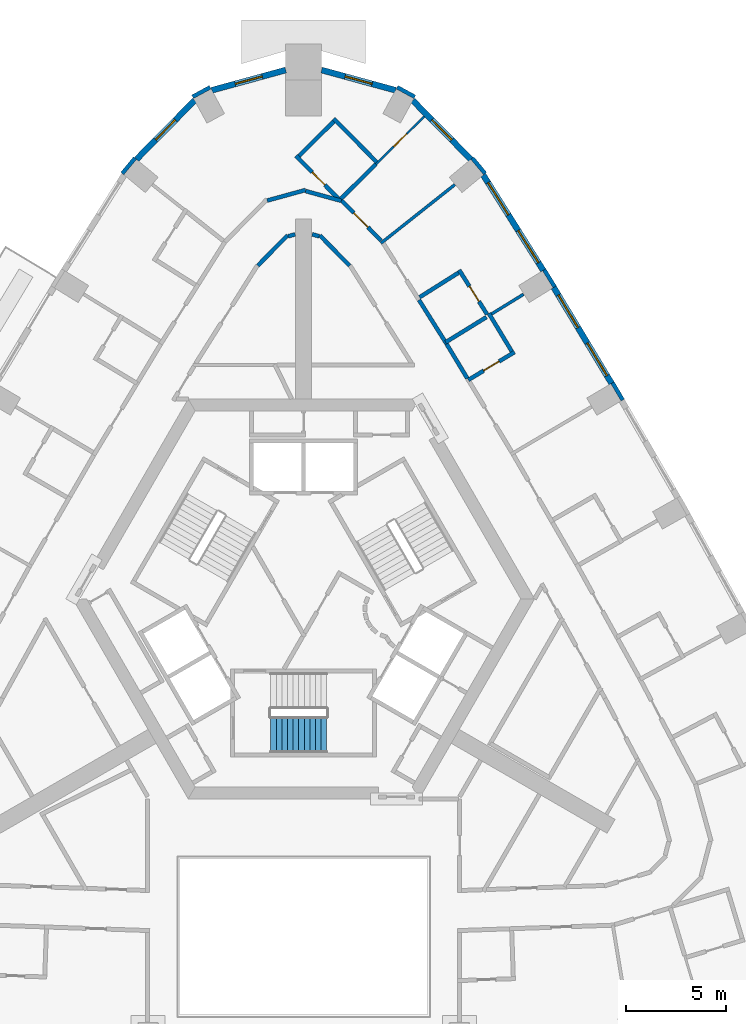
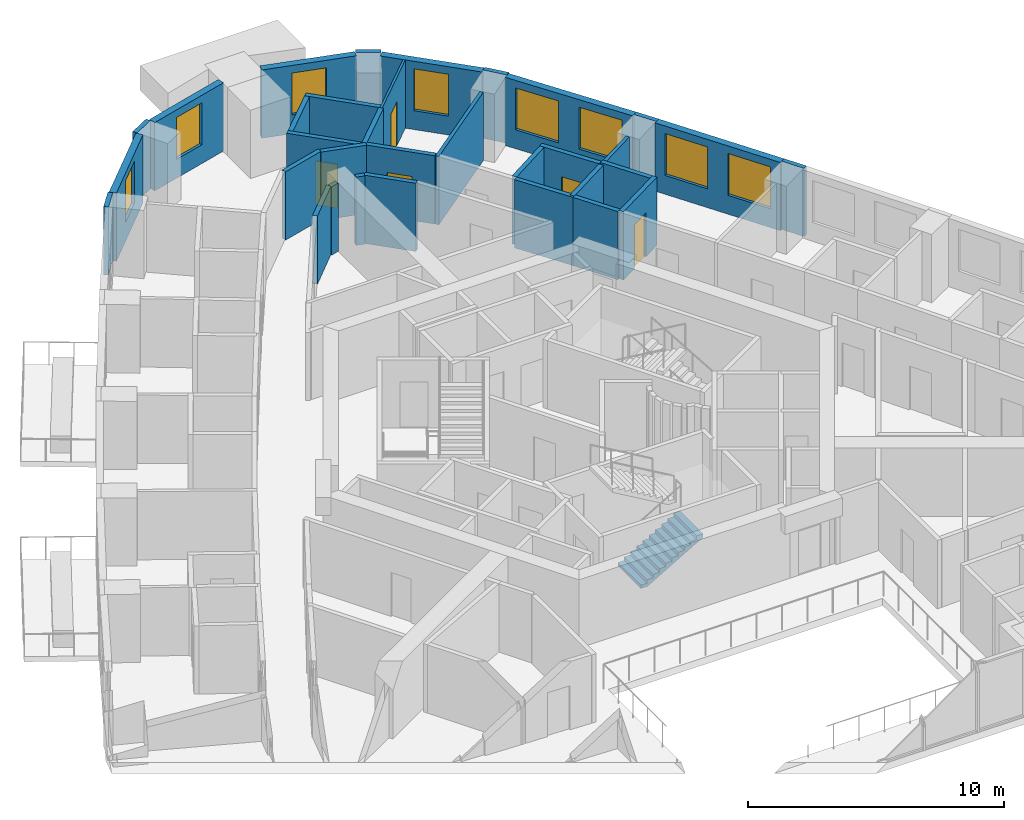
# One storey, part 10 of 14: 33 walls, 8 windows, 5 doors, 1 stair flight, 13 openings, 1 element without a shape of its own.
"""IFC4 building model written with IfcOpenShell, lengths in metres."""

from ifc_helpers import new_model, si_unit, direction, frame, frame_2d, origin, place, context, subcontext, project, spatial, polyline, rectangle, outline, extrude, material, layer, layer_set, type_object, element, fill, aggregate, save


model = new_model("IFC4")

# Units and contexts
model_context = context("Model", 3, precision=1e-05, world=origin(), true_north=direction((0.0, 1.0)))
body_context = subcontext(model_context, "Body", "Model", "MODEL_VIEW")
ifc_project = project(units=[si_unit("LENGTHUNIT", "METRE"), si_unit("AREAUNIT", "SQUARE_METRE"), si_unit("VOLUMEUNIT", "CUBIC_METRE"), si_unit("PLANEANGLEUNIT", "RADIAN"), si_unit("MASSUNIT", "GRAM", prefix="KILO")], contexts=[model_context])

# Site, building, storey
site_placement = place(None, origin())
site = spatial("IfcSite", under=ifc_project, at=site_placement, CompositionType="ELEMENT")
building_placement = place(site_placement, origin())
building = spatial("IfcBuilding", under=site, at=building_placement, Name="Entoto Arch Interchange Tower", CompositionType="ELEMENT")
storey_placement = place(building_placement, frame((0.0, 0.0, 259.39990234375)))
storey = spatial("IfcBuildingStorey", under=building, at=storey_placement, Name="L59", CompositionType="ELEMENT", Elevation=259.39990234375)

# Wall, opening, door
ifc_material_1 = material(Name="Gypsum board partition on steel studs", Category="steel")
ifc_layer_1 = layer(ifc_material_1, 0.10009765625)
ifc_layer_set_1 = layer_set([ifc_layer_1], Name="Gypsum board partition on steel studs")
wall_type_1 = type_object("IfcWallType", Name="PARTITION 100", PredefinedType="PARTITIONING", material=ifc_layer_set_1)
wall_1_placement = place(storey_placement, frame((3.613037109375, 24.237060546875, 0.0), z_axis=(0.0, 0.0, 1.0), x_axis=(0.711651188682, 0.702532978335, 0.0)))
wall_1 = element("IfcWall", 1, at=wall_1_placement, inside=storey, type_object=wall_type_1, Name="wall:L59:p150", PredefinedType="PARTITIONING", context=body_context, shape_type="SweptSolid", body=[
    extrude(rectangle(XDim=3.400390625, YDim=0.10009765625, at=frame_2d((1.7001953125, 0.0))), origin(), (0.0, 0.0, 1.0), 3.260009765625),
])
opening_1_placement = place(wall_1_placement, frame((1.25, 0.0, 0.0)))
opening_1 = element("IfcOpeningElement", 2, at=opening_1_placement, cuts=wall_1, Name="Opening L59-D17", PredefinedType="OPENING", context=body_context, shape_type="SweptSolid", body=[
    extrude(rectangle(XDim=0.89990234375, YDim=2.10009765625, at=frame_2d((0.449951171875, 1.050048828125))), frame((0.0, 0.06005859375, 0.0), z_axis=(0.0, -1.0, 0.0), x_axis=(1.0, 0.0, 0.0)), (0.0, 0.0, 1.0), 0.1201171875),
])
ifc_material_2 = material(Name="Timber door leaf in Steel S235 frame", Category="steel")
door_type_1 = type_object("IfcDoorType", Name="DOOR DS-09 900x2100", OperationType="SINGLE_SWING_LEFT", PredefinedType="DOOR", material=ifc_material_2)
door_1_placement = place(opening_1_placement, origin())
door_1 = element("IfcDoor", 3, at=door_1_placement, inside=storey, type_object=door_type_1, Name="door:L59:17", OperationType="SINGLE_SWING_RIGHT", OverallHeight=2.10009765625, OverallWidth=0.89990234375, PredefinedType="DOOR", context=body_context, shape_type="SweptSolid", body=[
    extrude(rectangle(XDim=0.89990234375, YDim=2.10009765625, at=frame_2d((0.449951171875, 1.050048828125))), frame((0.0, 0.02490234375, 0.0), z_axis=(0.0, -1.0, 0.0), x_axis=(1.0, 0.0, 0.0)), (0.0, 0.0, 1.0), 0.050048828125),
])
fill(opening_1, door_1)

# Walls
ifc_layer_2 = layer(ifc_material_1, 0.14990234375)
ifc_layer_set_2 = layer_set([ifc_layer_2], Name="Gypsum board partition on steel studs")
wall_type_2 = type_object("IfcWallType", Name="PARTITION 150", PredefinedType="PARTITIONING", material=ifc_layer_set_2)
wall_2_placement = place(storey_placement, frame((9.39501953125, 16.74609375, 0.0), z_axis=(0.0, 0.0, 1.0), x_axis=(0.851524542888, 0.524314745987, 0.0)))
element("IfcWall", 4, at=wall_2_placement, inside=storey, type_object=wall_type_2, Name="wall:L59:p145", PredefinedType="PARTITIONING", context=body_context, shape_type="SweptSolid", body=[
    extrude(rectangle(XDim=1.880126953125, YDim=0.14990234375, at=frame_2d((0.93994140625, 0.0))), origin(), (0.0, 0.0, 1.0), 3.260009765625),
])
wall_3_placement = place(storey_placement, frame((3.863037109375, 20.283935546875, 0.0), z_axis=(0.0, 0.0, 1.0), x_axis=(0.783618453885, 0.621242399335, 0.0)))
element("IfcWall", 5, at=wall_3_placement, inside=storey, type_object=wall_type_2, Name="wall:L59:p149", PredefinedType="PARTITIONING", context=body_context, shape_type="SweptSolid", body=[
    extrude(rectangle(XDim=4.716552734375, YDim=0.14990234375, at=frame_2d((2.3583984375, 0.0))), origin(), (0.0, 0.0, 1.0), 3.260009765625),
])
ifc_layer_3 = layer(ifc_material_1, 0.199951171875)
ifc_layer_set_3 = layer_set([ifc_layer_3], Name="Gypsum board partition on steel studs")
wall_type_3 = type_object("IfcWallType", Name="PARTITION 200", PredefinedType="PARTITIONING", material=ifc_layer_set_3)
wall_4_placement = place(storey_placement, frame((2.2939453125, 19.1669921875, 0.0), z_axis=(0.0, 0.0, 1.0), x_axis=(-0.70213913596, 0.712039769784, 0.0)))
element("IfcWall", 6, at=wall_4_placement, inside=storey, type_object=wall_type_3, Name="wall:L59:p008", PredefinedType="PARTITIONING", context=body_context, shape_type="SweptSolid", body=[
    extrude(rectangle(XDim=2.12060546875, YDim=0.199951171875, at=frame_2d((1.060302734375, 0.0))), origin(), (0.0, 0.0, 1.0), 3.260009765625),
])
for number, where, z_axis, x_axis, name in (
    (7, (0.778076171875, 20.632080078125, 0.0), (0.0, 0.0, 1.0), (-0.964810127056, 0.262947558899, 0.0), "wall:L59:p009"),
    (8, (-0.426025390625, 20.72802734375, 0.0), (0.0, 0.0, 1.0), (-0.964810127056, -0.262947558899, 0.0), "wall:L59:p011"),
):
    element("IfcWall", number, at=place(storey_placement, frame(where, z_axis=z_axis, x_axis=x_axis)), inside=storey, type_object=wall_type_3, Name=name, PredefinedType="PARTITIONING", context=body_context, shape_type="SweptSolid", body=[
        extrude(rectangle(XDim=0.364990234375, YDim=0.199951171875, at=frame_2d((0.1826171875, 0.0))), origin(), (0.0, 0.0, 1.0), 3.260009765625),
    ])
wall_5_placement = place(storey_placement, frame((-0.804931640625, 20.677001953125, 0.0), z_axis=(0.0, 0.0, 1.0), x_axis=(-0.70213913596, -0.712039769784, 0.0)))
element("IfcWall", 9, at=wall_5_placement, inside=storey, type_object=wall_type_3, Name="wall:L59:p012", PredefinedType="PARTITIONING", context=body_context, shape_type="SweptSolid", body=[
    extrude(rectangle(XDim=2.12060546875, YDim=0.199951171875, at=frame_2d((1.060302734375, 0.0))), origin(), (0.0, 0.0, 1.0), 3.260009765625),
])
wall_6_placement = place(storey_placement, frame((7.14794921875, 15.2451171875, 0.0), z_axis=(0.0, 0.0, 1.0), x_axis=(0.516361066184, -0.856370976463, 0.0)))
element("IfcWall", 10, at=wall_6_placement, inside=storey, type_object=wall_type_3, Name="wall:L59:p049", PredefinedType="PARTITIONING", context=body_context, shape_type="SweptSolid", body=[
    extrude(rectangle(XDim=2.00048828125, YDim=0.199951171875, at=frame_2d((1.000244140625, 0.0))), origin(), (0.0, 0.0, 1.0), 3.260009765625),
])
wall_7_placement = place(storey_placement, frame((5.76611328125, 17.446044921875, 0.0), z_axis=(0.0, 0.0, 1.0), x_axis=(0.532437006176, -0.846469629966, 0.0)))
element("IfcWall", 11, at=wall_7_placement, inside=storey, type_object=wall_type_3, Name="wall:L59:p051", PredefinedType="PARTITIONING", context=body_context, shape_type="SweptSolid", body=[
    extrude(rectangle(XDim=2.598876953125, YDim=0.199951171875, at=frame_2d((1.29931640625, 0.0))), origin(), (0.0, 0.0, 1.0), 3.260009765625),
])

# Wall, opening, door
wall_8_placement = place(storey_placement, frame((1.85107421875, 22.464111328125, 0.0), z_axis=(0.0, 0.0, 1.0), x_axis=(0.70237969133, -0.711802479068, 0.0)))
wall_8 = element("IfcWall", 12, at=wall_8_placement, inside=storey, type_object=wall_type_3, Name="wall:L59:p052", PredefinedType="PARTITIONING", context=body_context, shape_type="SweptSolid", body=[
    extrude(rectangle(XDim=2.8759765625, YDim=0.199951171875, at=frame_2d((1.43798828125, 0.0))), origin(), (0.0, 0.0, 1.0), 3.260009765625),
])
opening_2_placement = place(wall_8_placement, frame((0.93798828125, 0.0, 0.0)))
opening_2 = element("IfcOpeningElement", 13, at=opening_2_placement, cuts=wall_8, Name="Opening L59-D16", PredefinedType="OPENING", context=body_context, shape_type="SweptSolid", body=[
    extrude(rectangle(XDim=1.0, YDim=2.10009765625, at=frame_2d((0.5, 1.050048828125))), frame((0.0, 0.10986328125, 0.0), z_axis=(0.0, -1.0, 0.0), x_axis=(1.0, 0.0, 0.0)), (0.0, 0.0, 1.0), 0.219970703125),
])
ifc_material_3 = material(Name="Fire-rated Steel S235 door and frame", Category="steel")
door_type_2 = type_object("IfcDoorType", Name="DOOR FD-10 1000x2100", OperationType="SINGLE_SWING_LEFT", PredefinedType="DOOR", material=ifc_material_3)
door_2_placement = place(opening_2_placement, origin())
door_2 = element("IfcDoor", 14, at=door_2_placement, inside=storey, type_object=door_type_2, Name="door:L59:16", OperationType="SINGLE_SWING_LEFT", OverallHeight=2.10009765625, OverallWidth=1.0, PredefinedType="DOOR", context=body_context, shape_type="SweptSolid", body=[
    extrude(rectangle(XDim=1.0, YDim=2.10009765625, at=frame_2d((0.5, 1.050048828125))), frame((0.0, 0.02490234375, 0.0), z_axis=(0.0, -1.0, 0.0), x_axis=(1.0, 0.0, 0.0)), (0.0, 0.0, 1.0), 0.050048828125),
])
fill(opening_2, door_2)

# Walls
wall_9_placement = place(storey_placement, frame((-1.824951171875, 22.4189453125, 0.0), z_axis=(0.0, 0.0, 1.0), x_axis=(0.964477541401, 0.26416485787, 0.0)))
element("IfcWall", 15, at=wall_9_placement, inside=storey, type_object=wall_type_3, Name="wall:L59:p054", PredefinedType="PARTITIONING", context=body_context, shape_type="SweptSolid", body=[
    extrude(rectangle(XDim=1.99169921875, YDim=0.199951171875, at=frame_2d((0.995849609375, 0.0))), origin(), (0.0, 0.0, 1.0), 3.260009765625),
])
wall_10_placement = place(storey_placement, frame((0.095947265625, 22.89208984375, 0.0), z_axis=(0.0, 0.0, 1.0), x_axis=(0.964519582336, -0.264011316595, 0.0)))
element("IfcWall", 16, at=wall_10_placement, inside=storey, type_object=wall_type_3, Name="wall:L59:p055", PredefinedType="PARTITIONING", context=body_context, shape_type="SweptSolid", body=[
    extrude(rectangle(XDim=1.8486328125, YDim=0.199951171875, at=frame_2d((0.92431640625, 0.0))), origin(), (0.0, 0.0, 1.0), 3.260009765625),
])

# Wall, opening, door
wall_11_placement = place(storey_placement, frame((8.23291015625, 13.446044921875, 0.0), z_axis=(0.0, 0.0, 1.0), x_axis=(0.856373825811, 0.516356340589, 0.0)))
wall_11 = element("IfcWall", 17, at=wall_11_placement, inside=storey, type_object=wall_type_3, Name="wall:L59:p143", PredefinedType="PARTITIONING", context=body_context, shape_type="SweptSolid", body=[
    extrude(rectangle(XDim=2.69970703125, YDim=0.199951171875, at=frame_2d((1.349853515625, 0.0))), origin(), (0.0, 0.0, 1.0), 3.260009765625),
])
opening_3_placement = place(wall_11_placement, frame((0.89990234375, 0.0, 0.0)))
opening_3 = element("IfcOpeningElement", 18, at=opening_3_placement, cuts=wall_11, Name="Opening L59-D13", PredefinedType="OPENING", context=body_context, shape_type="SweptSolid", body=[
    extrude(rectangle(XDim=0.89990234375, YDim=2.10009765625, at=frame_2d((0.449951171875, 1.050048828125))), frame((0.0, 0.10986328125, 0.0), z_axis=(0.0, -1.0, 0.0), x_axis=(1.0, 0.0, 0.0)), (0.0, 0.0, 1.0), 0.219970703125),
])
door_3_placement = place(opening_3_placement, origin())
door_3 = element("IfcDoor", 19, at=door_3_placement, inside=storey, type_object=door_type_1, Name="door:L59:13", OperationType="SINGLE_SWING_LEFT", OverallHeight=2.10009765625, OverallWidth=0.89990234375, PredefinedType="DOOR", context=body_context, shape_type="SweptSolid", body=[
    extrude(rectangle(XDim=0.89990234375, YDim=2.10009765625, at=frame_2d((0.449951171875, 1.050048828125))), frame((0.0, 0.02490234375, 0.0), z_axis=(0.0, -1.0, 0.0), x_axis=(1.0, 0.0, 0.0)), (0.0, 0.0, 1.0), 0.050048828125),
])
fill(opening_3, door_3)

# Walls
wall_12_placement = place(storey_placement, frame((10.407958984375, 14.8740234375, 0.0), z_axis=(0.0, 0.0, 1.0), x_axis=(-0.516768967276, 0.856124894195, 0.0)))
element("IfcWall", 20, at=wall_12_placement, inside=storey, type_object=wall_type_3, Name="wall:L59:p144", PredefinedType="PARTITIONING", context=body_context, shape_type="SweptSolid", body=[
    extrude(rectangle(XDim=2.22509765625, YDim=0.199951171875, at=frame_2d((1.112548828125, 0.0))), origin(), (0.0, 0.0, 1.0), 3.260009765625),
])
wall_13_placement = place(storey_placement, frame((7.096923828125, 15.330078125, 0.0), z_axis=(0.0, 0.0, 1.0), x_axis=(0.851207242031, 0.524829716302, 0.0)))
element("IfcWall", 21, at=wall_13_placement, inside=storey, type_object=wall_type_3, Name="wall:L59:p146", PredefinedType="PARTITIONING", context=body_context, shape_type="SweptSolid", body=[
    extrude(rectangle(XDim=2.39892578125, YDim=0.199951171875, at=frame_2d((1.199462890625, 0.0))), origin(), (0.0, 0.0, 1.0), 3.260009765625),
])

# Wall, opening, door
wall_14_placement = place(storey_placement, frame((9.172119140625, 16.72509765625, 0.0), z_axis=(0.0, 0.0, 1.0), x_axis=(-0.532329646536, 0.846537150643, 0.0)))
wall_14 = element("IfcWall", 22, at=wall_14_placement, inside=storey, type_object=wall_type_3, Name="wall:L59:p147", PredefinedType="PARTITIONING", context=body_context, shape_type="SweptSolid", body=[
    extrude(rectangle(XDim=2.624755859375, YDim=0.199951171875, at=frame_2d((1.3125, 0.0))), origin(), (0.0, 0.0, 1.0), 3.260009765625),
])
opening_4_placement = place(wall_14_placement, frame((0.762939453125, 0.0, 0.0)))
opening_4 = element("IfcOpeningElement", 23, at=opening_4_placement, cuts=wall_14, Name="Opening L59-D15", PredefinedType="OPENING", context=body_context, shape_type="SweptSolid", body=[
    extrude(rectangle(XDim=0.89990234375, YDim=2.10009765625, at=frame_2d((0.449951171875, 1.050048828125))), frame((0.0, 0.10986328125, 0.0), z_axis=(0.0, -1.0, 0.0), x_axis=(1.0, 0.0, 0.0)), (0.0, 0.0, 1.0), 0.219970703125),
])
door_4_placement = place(opening_4_placement, origin())
door_4 = element("IfcDoor", 24, at=door_4_placement, inside=storey, type_object=door_type_1, Name="door:L59:15", OperationType="SINGLE_SWING_LEFT", OverallHeight=2.10009765625, OverallWidth=0.89990234375, PredefinedType="DOOR", context=body_context, shape_type="SweptSolid", body=[
    extrude(rectangle(XDim=0.89990234375, YDim=2.10009765625, at=frame_2d((0.449951171875, 1.050048828125))), frame((0.0, 0.02490234375, 0.0), z_axis=(0.0, -1.0, 0.0), x_axis=(1.0, 0.0, 0.0)), (0.0, 0.0, 1.0), 0.050048828125),
])
fill(opening_4, door_4)

# Walls
wall_15_placement = place(storey_placement, frame((7.743896484375, 18.80908203125, 0.0), z_axis=(0.0, 0.0, 1.0), x_axis=(-0.846360434059, -0.532610566605, 0.0)))
element("IfcWall", 25, at=wall_15_placement, inside=storey, type_object=wall_type_3, Name="wall:L59:p148", PredefinedType="PARTITIONING", context=body_context, shape_type="SweptSolid", body=[
    extrude(rectangle(XDim=2.30029296875, YDim=0.199951171875, at=frame_2d((1.150146484375, 0.0))), origin(), (0.0, 0.0, 1.0), 3.260009765625),
])
wall_16_placement = place(storey_placement, frame((1.798095703125, 22.446044921875, 0.0), z_axis=(0.0, 0.0, 1.0), x_axis=(0.711782817297, 0.702399616316, 0.0)))
element("IfcWall", 26, at=wall_16_placement, inside=storey, type_object=wall_type_3, Name="wall:L59:p151", PredefinedType="PARTITIONING", context=body_context, shape_type="SweptSolid", body=[
    extrude(rectangle(XDim=2.5498046875, YDim=0.199951171875, at=frame_2d((1.27490234375, 0.0))), origin(), (0.0, 0.0, 1.0), 3.260009765625),
])
wall_17_placement = place(storey_placement, frame((3.718994140625, 24.27197265625, 0.0), z_axis=(0.0, 0.0, 1.0), x_axis=(-0.70232328337, 0.711858135893, 0.0)))
element("IfcWall", 27, at=wall_17_placement, inside=storey, type_object=wall_type_3, Name="wall:L59:p152", PredefinedType="PARTITIONING", context=body_context, shape_type="SweptSolid", body=[
    extrude(rectangle(XDim=3.1494140625, YDim=0.199951171875, at=frame_2d((1.57470703125, 0.0))), origin(), (0.0, 0.0, 1.0), 3.260009765625),
])
wall_18_placement = place(storey_placement, frame((1.506103515625, 26.3720703125, 0.0), z_axis=(0.0, 0.0, 1.0), x_axis=(-0.711773999329, -0.702408551969, 0.0)))
element("IfcWall", 28, at=wall_18_placement, inside=storey, type_object=wall_type_3, Name="wall:L59:p153", PredefinedType="PARTITIONING", context=body_context, shape_type="SweptSolid", body=[
    extrude(rectangle(XDim=2.450439453125, YDim=0.199951171875, at=frame_2d((1.22509765625, 0.0))), origin(), (0.0, 0.0, 1.0), 3.260009765625),
])

# Wall, opening, door
wall_19_placement = place(storey_placement, frame((-0.37890625, 24.652099609375, 0.0), z_axis=(0.0, 0.0, 1.0), x_axis=(0.702559610983, -0.711624896286, 0.0)))
wall_19 = element("IfcWall", 29, at=wall_19_placement, inside=storey, type_object=wall_type_3, Name="wall:L59:p154", PredefinedType="PARTITIONING", context=body_context, shape_type="SweptSolid", body=[
    extrude(rectangle(XDim=3.1240234375, YDim=0.199951171875, at=frame_2d((1.56201171875, 0.0))), origin(), (0.0, 0.0, 1.0), 3.260009765625),
])
opening_5_placement = place(wall_19_placement, frame((1.14990234375, 0.0, 0.0)))
opening_5 = element("IfcOpeningElement", 30, at=opening_5_placement, cuts=wall_19, Name="Opening L59-D18", PredefinedType="OPENING", context=body_context, shape_type="SweptSolid", body=[
    extrude(rectangle(XDim=0.89990234375, YDim=2.10009765625, at=frame_2d((0.449951171875, 1.050048828125))), frame((0.0, 0.10986328125, 0.0), z_axis=(0.0, -1.0, 0.0), x_axis=(1.0, 0.0, 0.0)), (0.0, 0.0, 1.0), 0.219970703125),
])
door_5_placement = place(opening_5_placement, origin())
door_5 = element("IfcDoor", 31, at=door_5_placement, inside=storey, type_object=door_type_1, Name="door:L59:18", OperationType="SINGLE_SWING_RIGHT", OverallHeight=2.10009765625, OverallWidth=0.89990234375, PredefinedType="DOOR", context=body_context, shape_type="SweptSolid", body=[
    extrude(rectangle(XDim=0.89990234375, YDim=2.10009765625, at=frame_2d((0.449951171875, 1.050048828125))), frame((0.0, 0.02490234375, 0.0), z_axis=(0.0, -1.0, 0.0), x_axis=(1.0, 0.0, 0.0)), (0.0, 0.0, 1.0), 0.050048828125),
])
fill(opening_5, door_5)

# Wall, openings, windows
ifc_material_4 = material(Name="Welded tuff (ignimbrite) cladding, warm buff", Category="masonry")
ifc_layer_4 = layer(ifc_material_4, 0.300048828125)
ifc_layer_set_4 = layer_set([ifc_layer_4], Name="Welded tuff (ignimbrite) cladding, warm buff")
wall_type_4 = type_object("IfcWallType", Name="STONE INFILL WALL 300", PredefinedType="STANDARD", material=ifc_layer_set_4)
wall_20_placement = place(storey_placement, frame((15.39892578125, 13.277099609375, 0.0), z_axis=(0.0, 0.0, 1.0), x_axis=(-0.516269519619, 0.856426169096, 0.0)))
wall_20 = element("IfcWall", 32, at=wall_20_placement, inside=storey, type_object=wall_type_4, Name="Facade wall NE-04 L59", PredefinedType="STANDARD", context=body_context, shape_type="SweptSolid", body=[
    extrude(rectangle(XDim=5.603271484375, YDim=0.300048828125, at=frame_2d((2.8017578125, 0.0))), origin(), (0.0, 0.0, 1.0), 3.260009765625),
])
opening_6_placement = place(wall_20_placement, frame((0.450927734375, 0.0, 0.89990234375)))
opening_6 = element("IfcOpeningElement", 33, at=opening_6_placement, cuts=wall_20, Name="Opening WH-C", PredefinedType="OPENING", context=body_context, shape_type="SweptSolid", body=[
    extrude(rectangle(XDim=1.89990234375, YDim=2.0, at=frame_2d((0.949951171875, 1.0))), frame((0.0, 0.16015625, 0.0), z_axis=(0.0, -1.0, 0.0), x_axis=(1.0, 0.0, 0.0)), (0.0, 0.0, 1.0), 0.320068359375),
])
opening_7_placement = place(wall_20_placement, frame((3.2529296875, 0.0, 0.89990234375)))
opening_7 = element("IfcOpeningElement", 34, at=opening_7_placement, cuts=wall_20, Name="Opening WH-C", PredefinedType="OPENING", context=body_context, shape_type="SweptSolid", body=[
    extrude(rectangle(XDim=1.89990234375, YDim=2.0, at=frame_2d((0.949951171875, 1.0))), frame((0.0, 0.16015625, 0.0), z_axis=(0.0, -1.0, 0.0), x_axis=(1.0, 0.0, 0.0)), (0.0, 0.0, 1.0), 0.320068359375),
])
ifc_material_5 = material(Name="Clear glass, low-e double glazed", Category="glass")
window_type_1 = type_object("IfcWindowType", Name="WINDOW WH-C 1900x2000", PartitioningType="DOUBLE_PANEL_VERTICAL", PredefinedType="WINDOW", material=ifc_material_5)
window_1_placement = place(opening_6_placement, origin())
window_1 = element("IfcWindow", 35, at=window_1_placement, inside=storey, type_object=window_type_1, Name="Window WH-C NE-04 L59", OverallHeight=2.0, OverallWidth=1.89990234375, PartitioningType="SINGLE_PANEL", PredefinedType="WINDOW", context=body_context, shape_type="SweptSolid", body=[
    extrude(rectangle(XDim=1.89990234375, YDim=2.0, at=frame_2d((0.949951171875, 1.0))), frame((0.0, 0.030029296875, 0.0), z_axis=(0.0, -1.0, 0.0), x_axis=(1.0, 0.0, 0.0)), (0.0, 0.0, 1.0), 0.06005859375),
])
fill(opening_6, window_1)
window_2_placement = place(opening_7_placement, origin())
window_2 = element("IfcWindow", 36, at=window_2_placement, inside=storey, type_object=window_type_1, Name="Window WH-C NE-04 L59", OverallHeight=2.0, OverallWidth=1.89990234375, PartitioningType="SINGLE_PANEL", PredefinedType="WINDOW", context=body_context, shape_type="SweptSolid", body=[
    extrude(rectangle(XDim=1.89990234375, YDim=2.0, at=frame_2d((0.949951171875, 1.0))), frame((0.0, 0.030029296875, 0.0), z_axis=(0.0, -1.0, 0.0), x_axis=(1.0, 0.0, 0.0)), (0.0, 0.0, 1.0), 0.06005859375),
])
fill(opening_7, window_2)

wall_21_placement = place(storey_placement, frame((11.98291015625, 18.926025390625, 0.0), z_axis=(0.0, 0.0, 1.0), x_axis=(-0.532558226688, 0.846393369059, 0.0)))
wall_21 = element("IfcWall", 37, at=wall_21_placement, inside=storey, type_object=wall_type_4, Name="Facade wall NE-05 L59", PredefinedType="STANDARD", context=body_context, shape_type="SweptSolid", body=[
    extrude(rectangle(XDim=5.636962890625, YDim=0.300048828125, at=frame_2d((2.818359375, 0.0))), origin(), (0.0, 0.0, 1.0), 3.260009765625),
])
opening_8_placement = place(wall_21_placement, frame((0.458984375, 0.0, 0.89990234375)))
opening_8 = element("IfcOpeningElement", 38, at=opening_8_placement, cuts=wall_21, Name="Opening WH-C", PredefinedType="OPENING", context=body_context, shape_type="SweptSolid", body=[
    extrude(rectangle(XDim=1.89990234375, YDim=2.0, at=frame_2d((0.949951171875, 1.0))), frame((0.0, 0.16015625, 0.0), z_axis=(0.0, -1.0, 0.0), x_axis=(1.0, 0.0, 0.0)), (0.0, 0.0, 1.0), 0.320068359375),
])
opening_9_placement = place(wall_21_placement, frame((3.278076171875, 0.0, 0.89990234375)))
opening_9 = element("IfcOpeningElement", 39, at=opening_9_placement, cuts=wall_21, Name="Opening WH-C", PredefinedType="OPENING", context=body_context, shape_type="SweptSolid", body=[
    extrude(rectangle(XDim=1.89990234375, YDim=2.0, at=frame_2d((0.949951171875, 1.0))), frame((0.0, 0.16015625, 0.0), z_axis=(0.0, -1.0, 0.0), x_axis=(1.0, 0.0, 0.0)), (0.0, 0.0, 1.0), 0.320068359375),
])
window_3_placement = place(opening_8_placement, origin())
window_3 = element("IfcWindow", 40, at=window_3_placement, inside=storey, type_object=window_type_1, Name="Window WH-C NE-05 L59", OverallHeight=2.0, OverallWidth=1.89990234375, PartitioningType="SINGLE_PANEL", PredefinedType="WINDOW", context=body_context, shape_type="SweptSolid", body=[
    extrude(rectangle(XDim=1.89990234375, YDim=2.0, at=frame_2d((0.949951171875, 1.0))), frame((0.0, 0.030029296875, 0.0), z_axis=(0.0, -1.0, 0.0), x_axis=(1.0, 0.0, 0.0)), (0.0, 0.0, 1.0), 0.06005859375),
])
fill(opening_8, window_3)
window_4_placement = place(opening_9_placement, origin())
window_4 = element("IfcWindow", 41, at=window_4_placement, inside=storey, type_object=window_type_1, Name="Window WH-C NE-05 L59", OverallHeight=2.0, OverallWidth=1.89990234375, PartitioningType="SINGLE_PANEL", PredefinedType="WINDOW", context=body_context, shape_type="SweptSolid", body=[
    extrude(rectangle(XDim=1.89990234375, YDim=2.0, at=frame_2d((0.949951171875, 1.0))), frame((0.0, 0.030029296875, 0.0), z_axis=(0.0, -1.0, 0.0), x_axis=(1.0, 0.0, 0.0)), (0.0, 0.0, 1.0), 0.06005859375),
])
fill(opening_9, window_4)

# Wall, opening, window
wall_22_placement = place(storey_placement, frame((8.361083984375, 24.47998046875, 0.0), z_axis=(0.0, 0.0, 1.0), x_axis=(-0.702488411246, 0.711695181989, 0.0)))
wall_22 = element("IfcWall", 42, at=wall_22_placement, inside=storey, type_object=wall_type_4, Name="Facade wall N-01 L59", PredefinedType="STANDARD", context=body_context, shape_type="SweptSolid", body=[
    extrude(rectangle(XDim=4.13671875, YDim=0.300048828125, at=frame_2d((2.068359375, 0.0))), origin(), (0.0, 0.0, 1.0), 3.260009765625),
])
opening_10_placement = place(wall_22_placement, frame((1.367919921875, 0.0, 0.89990234375)))
opening_10 = element("IfcOpeningElement", 43, at=opening_10_placement, cuts=wall_22, Name="Opening WH-B", PredefinedType="OPENING", context=body_context, shape_type="SweptSolid", body=[
    extrude(rectangle(XDim=1.39990234375, YDim=2.0, at=frame_2d((0.699951171875, 1.0))), frame((0.0, 0.16015625, 0.0), z_axis=(0.0, -1.0, 0.0), x_axis=(1.0, 0.0, 0.0)), (0.0, 0.0, 1.0), 0.320068359375),
])
window_type_2 = type_object("IfcWindowType", Name="WINDOW WH-B 1400x2000", PartitioningType="DOUBLE_PANEL_VERTICAL", PredefinedType="WINDOW", material=ifc_material_5)
window_5_placement = place(opening_10_placement, origin())
window_5 = element("IfcWindow", 44, at=window_5_placement, inside=storey, type_object=window_type_2, Name="Window WH-B N-01 L59", OverallHeight=2.0, OverallWidth=1.39990234375, PartitioningType="SINGLE_PANEL", PredefinedType="WINDOW", context=body_context, shape_type="SweptSolid", body=[
    extrude(rectangle(XDim=1.39990234375, YDim=2.0, at=frame_2d((0.699951171875, 1.0))), frame((0.0, 0.030029296875, 0.0), z_axis=(0.0, -1.0, 0.0), x_axis=(1.0, 0.0, 0.0)), (0.0, 0.0, 1.0), 0.06005859375),
])
fill(opening_10, window_5)

wall_23_placement = place(storey_placement, frame((4.595947265625, 27.93310546875, 0.0), z_axis=(0.0, 0.0, 1.0), x_axis=(-0.964519409105, 0.264011949464, 0.0)))
wall_23 = element("IfcWall", 45, at=wall_23_placement, inside=storey, type_object=wall_type_4, Name="Facade wall N-02 L59", PredefinedType="STANDARD", context=body_context, shape_type="SweptSolid", body=[
    extrude(rectangle(XDim=3.8330078125, YDim=0.300048828125, at=frame_2d((1.91650390625, 0.0))), origin(), (0.0, 0.0, 1.0), 3.260009765625),
])
opening_11_placement = place(wall_23_placement, frame((1.217041015625, 0.0, 0.89990234375)))
opening_11 = element("IfcOpeningElement", 46, at=opening_11_placement, cuts=wall_23, Name="Opening WH-B", PredefinedType="OPENING", context=body_context, shape_type="SweptSolid", body=[
    extrude(rectangle(XDim=1.39990234375, YDim=2.0, at=frame_2d((0.699951171875, 1.0))), frame((0.0, 0.16015625, 0.0), z_axis=(0.0, -1.0, 0.0), x_axis=(1.0, 0.0, 0.0)), (0.0, 0.0, 1.0), 0.320068359375),
])
window_6_placement = place(opening_11_placement, origin())
window_6 = element("IfcWindow", 47, at=window_6_placement, inside=storey, type_object=window_type_2, Name="Window WH-B N-02 L59", OverallHeight=2.0, OverallWidth=1.39990234375, PartitioningType="SINGLE_PANEL", PredefinedType="WINDOW", context=body_context, shape_type="SweptSolid", body=[
    extrude(rectangle(XDim=1.39990234375, YDim=2.0, at=frame_2d((0.699951171875, 1.0))), frame((0.0, 0.030029296875, 0.0), z_axis=(0.0, -1.0, 0.0), x_axis=(1.0, 0.0, 0.0)), (0.0, 0.0, 1.0), 0.06005859375),
])
fill(opening_11, window_6)

wall_24_placement = place(storey_placement, frame((-0.89892578125, 28.945068359375, 0.0), z_axis=(0.0, 0.0, 1.0), x_axis=(-0.964519409105, -0.264011949464, 0.0)))
wall_24 = element("IfcWall", 48, at=wall_24_placement, inside=storey, type_object=wall_type_4, Name="Facade wall N-03 L59", PredefinedType="STANDARD", context=body_context, shape_type="SweptSolid", body=[
    extrude(rectangle(XDim=3.8330078125, YDim=0.300048828125, at=frame_2d((1.91650390625, 0.0))), origin(), (0.0, 0.0, 1.0), 3.260009765625),
])
opening_12_placement = place(wall_24_placement, frame((1.217041015625, 0.0, 0.89990234375)))
opening_12 = element("IfcOpeningElement", 49, at=opening_12_placement, cuts=wall_24, Name="Opening WH-B", PredefinedType="OPENING", context=body_context, shape_type="SweptSolid", body=[
    extrude(rectangle(XDim=1.39990234375, YDim=2.0, at=frame_2d((0.699951171875, 1.0))), frame((0.0, 0.16015625, 0.0), z_axis=(0.0, -1.0, 0.0), x_axis=(1.0, 0.0, 0.0)), (0.0, 0.0, 1.0), 0.320068359375),
])
window_7_placement = place(opening_12_placement, origin())
window_7 = element("IfcWindow", 50, at=window_7_placement, inside=storey, type_object=window_type_2, Name="Window WH-B N-03 L59", OverallHeight=2.0, OverallWidth=1.39990234375, PartitioningType="SINGLE_PANEL", PredefinedType="WINDOW", context=body_context, shape_type="SweptSolid", body=[
    extrude(rectangle(XDim=1.39990234375, YDim=2.0, at=frame_2d((0.699951171875, 1.0))), frame((0.0, 0.030029296875, 0.0), z_axis=(0.0, -1.0, 0.0), x_axis=(1.0, 0.0, 0.0)), (0.0, 0.0, 1.0), 0.06005859375),
])
fill(opening_12, window_7)

wall_25_placement = place(storey_placement, frame((-5.455078125, 27.424072265625, 0.0), z_axis=(0.0, 0.0, 1.0), x_axis=(-0.702488411246, -0.711695181989, 0.0)))
wall_25 = element("IfcWall", 51, at=wall_25_placement, inside=storey, type_object=wall_type_4, Name="Facade wall N-04 L59", PredefinedType="STANDARD", context=body_context, shape_type="SweptSolid", body=[
    extrude(rectangle(XDim=4.13671875, YDim=0.300048828125, at=frame_2d((2.068359375, 0.0))), origin(), (0.0, 0.0, 1.0), 3.260009765625),
])
opening_13_placement = place(wall_25_placement, frame((1.367919921875, 0.0, 0.89990234375)))
opening_13 = element("IfcOpeningElement", 52, at=opening_13_placement, cuts=wall_25, Name="Opening WH-B", PredefinedType="OPENING", context=body_context, shape_type="SweptSolid", body=[
    extrude(rectangle(XDim=1.39990234375, YDim=2.0, at=frame_2d((0.699951171875, 1.0))), frame((0.0, 0.16015625, 0.0), z_axis=(0.0, -1.0, 0.0), x_axis=(1.0, 0.0, 0.0)), (0.0, 0.0, 1.0), 0.320068359375),
])
window_8_placement = place(opening_13_placement, origin())
window_8 = element("IfcWindow", 53, at=window_8_placement, inside=storey, type_object=window_type_2, Name="Window WH-B N-04 L59", OverallHeight=2.0, OverallWidth=1.39990234375, PartitioningType="SINGLE_PANEL", PredefinedType="WINDOW", context=body_context, shape_type="SweptSolid", body=[
    extrude(rectangle(XDim=1.39990234375, YDim=2.0, at=frame_2d((0.699951171875, 1.0))), frame((0.0, 0.030029296875, 0.0), z_axis=(0.0, -1.0, 0.0), x_axis=(1.0, 0.0, 0.0)), (0.0, 0.0, 1.0), 0.06005859375),
])
fill(opening_13, window_8)

# Walls
ifc_layer_5 = layer(ifc_material_4, 0.199951171875)
ifc_layer_set_5 = layer_set([ifc_layer_5], Name="Welded tuff (ignimbrite) cladding, warm buff")
wall_type_5 = type_object("IfcWallType", Name="STONE PIER CLADDING 200", PredefinedType="STANDARD", material=ifc_layer_set_5)
for number, where, z_axis, x_axis, name in (
    (54, (5.554931640625, 27.60595703125, 0.0), (0.0, 0.0, 1.0), (-0.878250009632, 0.478201757191, 0.0), "Stone pier N1 L59"),
    (55, (-4.677001953125, 28.083984375, 0.0), (0.0, 0.0, 1.0), (-0.878250009632, -0.478201757191, 0.0), "Stone pier N3 L59"),
):
    element("IfcWall", number, at=place(storey_placement, frame(where, z_axis=z_axis, x_axis=x_axis)), inside=storey, type_object=wall_type_5, Name=name, PredefinedType="STANDARD", context=body_context, shape_type="SweptSolid", body=[
        extrude(rectangle(XDim=0.999755859375, YDim=0.199951171875, at=frame_2d((0.5, 0.0))), origin(), (0.0, 0.0, 1.0), 3.260009765625),
    ])
wall_26_placement = place(storey_placement, frame((15.9541015625, 12.445068359375, 0.0), z_axis=(0.0, 0.0, 1.0), x_axis=(-0.508268432768, 0.861198699634, 0.0)))
element("IfcWall", 56, at=wall_26_placement, inside=storey, type_object=wall_type_5, Name="Stone pier NE04 L59", PredefinedType="STANDARD", context=body_context, shape_type="SweptSolid", body=[
    extrude(rectangle(XDim=0.99951171875, YDim=0.199951171875, at=frame_2d((0.499755859375, 0.0))), origin(), (0.0, 0.0, 1.0), 3.260009765625),
])
wall_27_placement = place(storey_placement, frame((12.553955078125, 18.10400390625, 0.0), z_axis=(0.0, 0.0, 1.0), x_axis=(-0.525648735675, 0.850701714282, 0.0)))
element("IfcWall", 57, at=wall_27_placement, inside=storey, type_object=wall_type_5, Name="Stone pier NE05 L59", PredefinedType="STANDARD", context=body_context, shape_type="SweptSolid", body=[
    extrude(rectangle(XDim=1.00048828125, YDim=0.199951171875, at=frame_2d((0.500244140625, 0.0))), origin(), (0.0, 0.0, 1.0), 3.260009765625),
])
for number, where, z_axis, x_axis, name in (
    (58, (9.071044921875, 23.77099609375, 0.0), (0.0, 0.0, 1.0), (-0.637972365578, 0.770059257953, 0.0), "Stone pier NE06 L59"),
    (59, (-8.43310546875, 24.541015625, 0.0), (0.0, 0.0, 1.0), (-0.637972365578, -0.770059257953, 0.0), "Stone pier NW01 L59"),
):
    element("IfcWall", number, at=place(storey_placement, frame(where, z_axis=z_axis, x_axis=x_axis)), inside=storey, type_object=wall_type_5, Name=name, PredefinedType="STANDARD", context=body_context, shape_type="SweptSolid", body=[
        extrude(rectangle(XDim=1.0, YDim=0.199951171875, at=frame_2d((0.5, 0.0))), origin(), (0.0, 0.0, 1.0), 3.260009765625),
    ])

# Stair, stair flight
ifc_material_6 = material(Name="Concrete C40/50", Category="concrete")
stair_type = type_object("IfcStairType", Name="EXIT STAIR RC 1800", PredefinedType="HALF_TURN_STAIR", material=ifc_material_6)
stair_placement = place(storey_placement, origin())
stair = element("IfcStair", 60, at=stair_placement, inside=storey, type_object=stair_type, Name="L59 Exit stair S", PredefinedType="HALF_TURN_STAIR")
stair_flight_type = type_object("IfcStairFlightType", Name="EXIT STAIR FLIGHT RC 1800", PredefinedType="STRAIGHT", material=ifc_material_6)
stair_flight_placement = place(storey_placement, frame((-1.64990234375, -4.300048828125, 0.0), z_axis=(0.0, 0.0, 1.0), x_axis=(1.0, 0.0, 0.0)))
stair_flight = element("IfcStairFlight", 61, at=stair_flight_placement, type_object=stair_flight_type, Name="ST-S flight 1", NumberOfRisers=11, NumberOfTreads=10, PredefinedType="STRAIGHT", RiserHeight=0.163636364, TreadLength=0.28, context=body_context, shape_type="SweptSolid", body=[
    extrude(outline(polyline([(-0.0029296875, 0.0), (-0.0029296875, 0.16357421875), (0.280029296875, 0.16357421875), (0.280029296875, 0.327392578125), (0.56005859375, 0.327392578125), (0.56005859375, 0.490966796875), (0.840087890625, 0.490966796875), (0.840087890625, 0.654541015625), (1.1201171875, 0.654541015625), (1.1201171875, 0.818115234375), (1.39990234375, 0.818115234375), (1.39990234375, 0.98193359375), (1.679931640625, 0.98193359375), (1.679931640625, 1.1455078125), (1.9599609375, 1.1455078125), (1.9599609375, 1.30908203125), (2.239990234375, 1.30908203125), (2.239990234375, 1.47265625), (2.52001953125, 1.47265625), (2.52001953125, 1.636474609375), (2.800048828125, 1.636474609375), (2.802978515625, 1.636474609375), (2.802978515625, 1.464599609375), (0.297119140625, 0.0), (-0.0029296875, 0.0)])), frame((0.0, 0.89990234375, 0.0), z_axis=(0.0, -1.0, 0.0), x_axis=(1.0, 0.0, 0.0)), (0.0, 0.0, 1.0), 1.800048828125),
])
aggregate(stair, [stair_flight])

save(model, "model.ifc")
